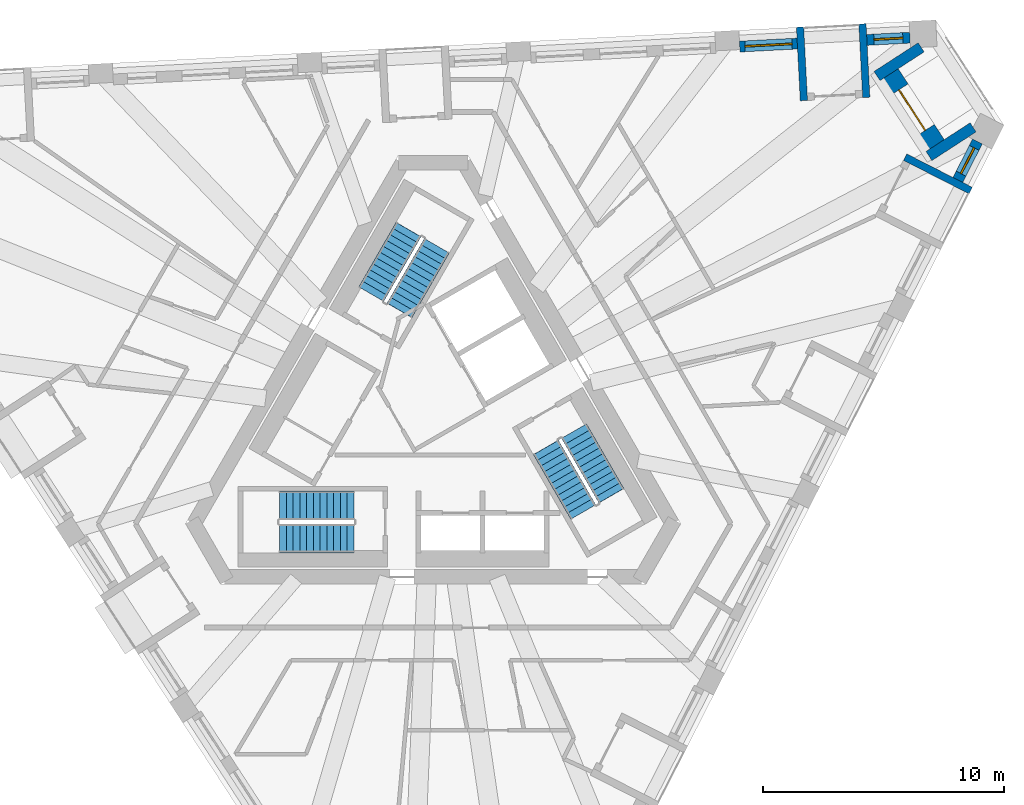
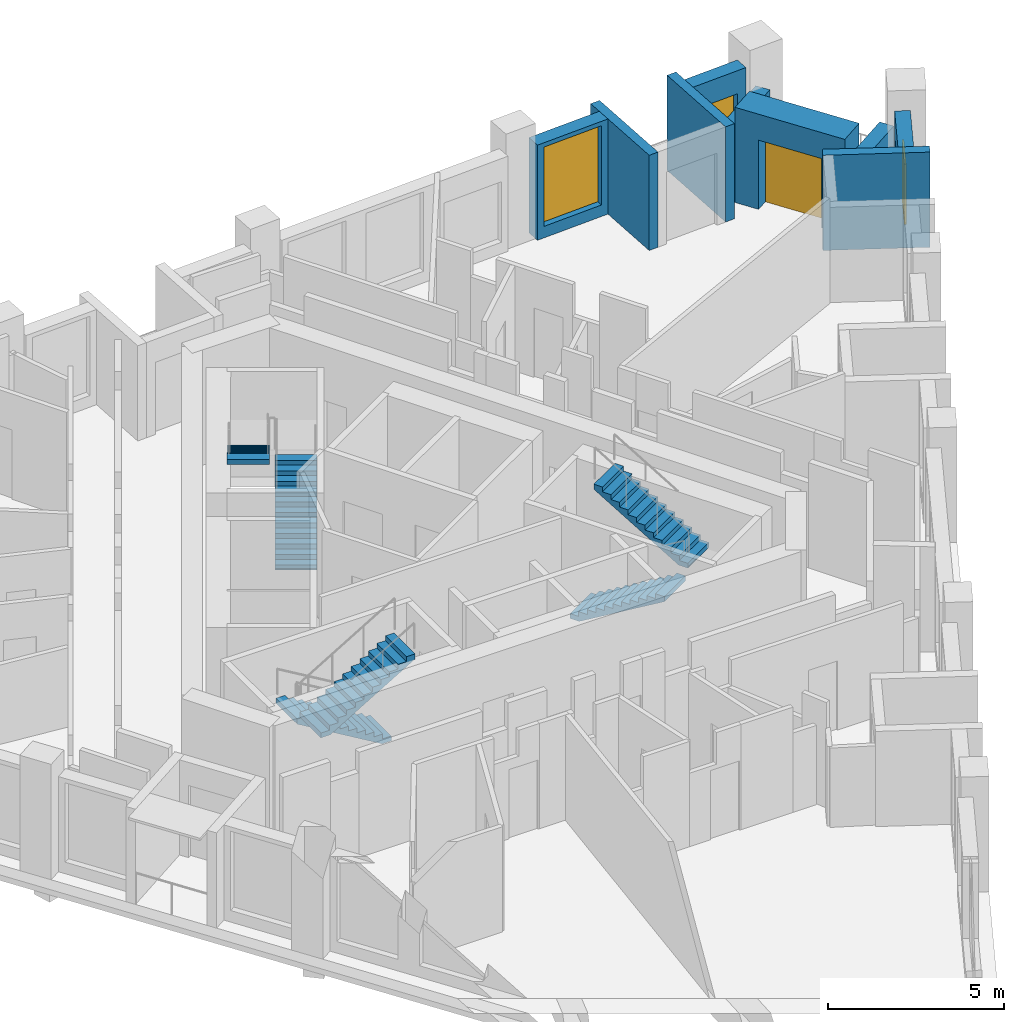
# One storey, part 9 of 13: 9 walls, 6 stair flights, 3 windows, 1 door, 4 openings, 3 elements without a shape of their own.
"""IFC4 building model written with IfcOpenShell, lengths in metres."""

from ifc_helpers import new_model, si_unit, direction, frame, frame_2d, origin, place, context, subcontext, project, spatial, polyline, rectangle, outline, extrude, material, layer, layer_set, type_object, element, fill, aggregate, save


model = new_model("IFC4")

# Units and contexts
model_context = context("Model", 3, precision=1e-05, world=origin(), true_north=direction((0.0, 1.0)))
body_context = subcontext(model_context, "Body", "Model", "MODEL_VIEW")
ifc_project = project(units=[si_unit("LENGTHUNIT", "METRE"), si_unit("AREAUNIT", "SQUARE_METRE"), si_unit("VOLUMEUNIT", "CUBIC_METRE"), si_unit("PLANEANGLEUNIT", "RADIAN"), si_unit("MASSUNIT", "GRAM", prefix="KILO")], contexts=[model_context])

# Site, building, storey
site_placement = place(None, origin())
site = spatial("IfcSite", under=ifc_project, at=site_placement, CompositionType="ELEMENT")
building_placement = place(site_placement, origin())
building = spatial("IfcBuilding", under=site, at=building_placement, Name="Tramontana Tower", CompositionType="ELEMENT")
storey_placement = place(building_placement, frame((0.0, 0.0, 286.39990234375)))
storey = spatial("IfcBuildingStorey", under=building, at=storey_placement, Name="L67", CompositionType="ELEMENT", Elevation=286.39990234375)

# Wall, opening, window
ifc_material_1 = material(Name="Precast concrete 60 MPa", Category="concrete")
ifc_layer_1 = layer(ifc_material_1, 0.449951171875)
ifc_layer_set_1 = layer_set([ifc_layer_1], Name="Precast concrete 60 MPa, 450 mm")
wall_type_1 = type_object("IfcWallType", Name="EW1 Stone-faced precast wall 450", PredefinedType="SOLIDWALL", material=ifc_layer_set_1)
wall_1_placement = place(storey_placement, frame((21.727783203125, 9.98828125, 0.0), z_axis=(0.0, 0.0, 1.0), x_axis=(0.454032211525, 0.890985269742, 0.0)))
wall_1 = element("IfcWall", 1, at=wall_1_placement, inside=storey, type_object=wall_type_1, Name="External wall L67 face 1 bay 5", PredefinedType="SOLIDWALL", context=body_context, shape_type="SweptSolid", body=[
    extrude(rectangle(XDim=1.786865234375, YDim=0.449951171875, at=frame_2d((0.8935546875, 0.0))), origin(), (0.0, 0.0, 1.0), 3.300048828125),
])
opening_1_placement = place(wall_1_placement, frame((0.29345703125, 0.0, 0.39990234375)))
opening_1 = element("IfcOpeningElement", 2, at=opening_1_placement, cuts=wall_1, Name="Opening N3L", PredefinedType="OPENING", context=body_context, shape_type="SweptSolid", body=[
    extrude(rectangle(XDim=1.199951171875, YDim=2.10009765625, at=frame_2d((0.60009765625, 1.050048828125))), frame((0.0, 0.23486328125, 0.0), z_axis=(0.0, -1.0, 0.0), x_axis=(1.0, 0.0, 0.0)), (0.0, 0.0, 1.0), 0.469970703125),
])
ifc_material_2 = material(Name="Aluminum frame, double glazing unit", Category="aluminium")
window_type_1 = type_object("IfcWindowType", Name="N3L Window 1.2 x 2.1", PartitioningType="SINGLE_PANEL", PredefinedType="WINDOW", material=ifc_material_2)
window_1_placement = place(opening_1_placement, origin())
window_1 = element("IfcWindow", 3, at=window_1_placement, inside=storey, type_object=window_type_1, Name="Window N3L L67 face 1 module 15", OverallHeight=2.10009765625, OverallWidth=1.199951171875, PartitioningType="SINGLE_PANEL", PredefinedType="WINDOW", context=body_context, shape_type="SweptSolid", body=[
    extrude(rectangle(XDim=1.199951171875, YDim=2.10009765625, at=frame_2d((0.60009765625, 1.050048828125))), frame((0.0, 0.030029296875, 0.0), z_axis=(0.0, -1.0, 0.0), x_axis=(1.0, 0.0, 0.0)), (0.0, 0.0, 1.0), 0.06005859375),
])
fill(opening_1, window_1)

wall_2_placement = place(storey_placement, frame((19.74658203125, 15.880126953125, 0.0), z_axis=(0.0, 0.0, 1.0), x_axis=(-0.998629506551, -0.052336494391, 0.0)))
wall_2 = element("IfcWall", 4, at=wall_2_placement, inside=storey, type_object=wall_type_1, Name="External wall L67 face 2 bay 1", PredefinedType="SOLIDWALL", context=body_context, shape_type="SweptSolid", body=[
    extrude(rectangle(XDim=1.78662109375, YDim=0.449951171875, at=frame_2d((0.893310546875, 0.0))), origin(), (0.0, 0.0, 1.0), 3.300048828125),
])
opening_2_placement = place(wall_2_placement, frame((0.29345703125, 0.0, 0.39990234375)))
opening_2 = element("IfcOpeningElement", 5, at=opening_2_placement, cuts=wall_2, Name="Opening N3L", PredefinedType="OPENING", context=body_context, shape_type="SweptSolid", body=[
    extrude(rectangle(XDim=1.199951171875, YDim=2.10009765625, at=frame_2d((0.60009765625, 1.050048828125))), frame((0.0, 0.23486328125, 0.0), z_axis=(0.0, -1.0, 0.0), x_axis=(1.0, 0.0, 0.0)), (0.0, 0.0, 1.0), 0.469970703125),
])
window_2_placement = place(opening_2_placement, origin())
window_2 = element("IfcWindow", 6, at=window_2_placement, inside=storey, type_object=window_type_1, Name="Window N3L L67 face 2 module 1", OverallHeight=2.10009765625, OverallWidth=1.199951171875, PartitioningType="SINGLE_PANEL", PredefinedType="WINDOW", context=body_context, shape_type="SweptSolid", body=[
    extrude(rectangle(XDim=1.199951171875, YDim=2.10009765625, at=frame_2d((0.60009765625, 1.050048828125))), frame((0.0, 0.030029296875, 0.0), z_axis=(0.0, -1.0, 0.0), x_axis=(1.0, 0.0, 0.0)), (0.0, 0.0, 1.0), 0.06005859375),
])
fill(opening_2, window_2)

wall_3_placement = place(storey_placement, frame((15.07958984375, 15.6357421875, 0.0), z_axis=(0.0, 0.0, 1.0), x_axis=(-0.998627701279, -0.052370929331, 0.0)))
wall_3 = element("IfcWall", 7, at=wall_3_placement, inside=storey, type_object=wall_type_1, Name="External wall L67 face 2 bay 1", PredefinedType="SOLIDWALL", context=body_context, shape_type="SweptSolid", body=[
    extrude(rectangle(XDim=2.38671875, YDim=0.449951171875, at=frame_2d((1.193359375, 0.0))), origin(), (0.0, 0.0, 1.0), 3.300048828125),
])
opening_3_placement = place(wall_3_placement, frame((0.21826171875, 0.0, 0.39990234375)))
opening_3 = element("IfcOpeningElement", 8, at=opening_3_placement, cuts=wall_3, Name="Opening M3", PredefinedType="OPENING", context=body_context, shape_type="SweptSolid", body=[
    extrude(rectangle(XDim=1.949951171875, YDim=2.75, at=frame_2d((0.97509765625, 1.375))), frame((0.0, 0.23486328125, 0.0), z_axis=(0.0, -1.0, 0.0), x_axis=(1.0, 0.0, 0.0)), (0.0, 0.0, 1.0), 0.469970703125),
])
ifc_material_3 = material(Name="Aluminum frame, double glazing unit", Category="aluminium")
window_type_2 = type_object("IfcWindowType", Name="M3 Window 1.95 x 2.75", PartitioningType="SINGLE_PANEL", PredefinedType="WINDOW", material=ifc_material_3)
window_3_placement = place(opening_3_placement, origin())
window_3 = element("IfcWindow", 9, at=window_3_placement, inside=storey, type_object=window_type_2, Name="Window M3 L67 face 2 module 3", OverallHeight=2.75, OverallWidth=1.949951171875, PartitioningType="SINGLE_PANEL", PredefinedType="WINDOW", context=body_context, shape_type="SweptSolid", body=[
    extrude(rectangle(XDim=1.949951171875, YDim=2.75, at=frame_2d((0.97509765625, 1.375))), frame((0.0, 0.030029296875, 0.0), z_axis=(0.0, -1.0, 0.0), x_axis=(1.0, 0.0, 0.0)), (0.0, 0.0, 1.0), 0.06005859375),
])
fill(opening_3, window_3)

# Walls
for number, where, z_axis, x_axis, name in (
    (10, (20.209228515625, 15.478759765625, 0.0), (0.0, 0.0, 1.0), (-0.838694375731, -0.544602372486, 0.0), "Corner loggia side wall L67 K72l"),
    (11, (22.3603515625, 12.166015625, 0.0), (0.0, 0.0, 1.0), (-0.838694375731, -0.544602372486, 0.0), "Corner loggia side wall L67 K72r"),
):
    element("IfcWall", number, at=place(storey_placement, frame(where, z_axis=z_axis, x_axis=x_axis)), inside=storey, type_object=wall_type_1, Name=name, PredefinedType="SOLIDWALL", context=body_context, shape_type="SweptSolid", body=[
        extrude(rectangle(XDim=2.17919921875, YDim=0.449951171875, at=frame_2d((1.089599609375, 0.0))), origin(), (0.0, 0.0, 1.0), 2.550048828125),
    ])

# Wall, opening, door
ifc_material_4 = material(Name="Precast concrete 60 MPa", Category="concrete")
ifc_layer_2 = layer(ifc_material_4, 0.89990234375)
ifc_layer_set_2 = layer_set([ifc_layer_2], Name="EW2 Stone-faced corner loggia wall 900")
wall_type_2 = type_object("IfcWallType", Name="EW2 Stone-faced corner loggia wall 900", PredefinedType="SOLIDWALL", material=ifc_layer_set_2)
wall_4_placement = place(storey_placement, frame((18.88134765625, 14.348388671875, 0.0), z_axis=(0.0, 0.0, 1.0), x_axis=(0.544647498784, -0.838665071449, 0.0)))
wall_4 = element("IfcWall", 12, at=wall_4_placement, inside=storey, type_object=wall_type_2, Name="Corner loggia wall L67 K72", PredefinedType="SOLIDWALL", context=body_context, shape_type="SweptSolid", body=[
    extrude(rectangle(XDim=3.5, YDim=0.89990234375, at=frame_2d((1.75, 0.0))), origin(), (0.0, 0.0, 1.0), 3.300048828125),
])
opening_4_placement = place(wall_4_placement, frame((0.75, 0.0, 0.0)))
opening_4 = element("IfcOpeningElement", 13, at=opening_4_placement, cuts=wall_4, Name="Opening BD-72C", PredefinedType="OPENING", context=body_context, shape_type="SweptSolid", body=[
    extrude(rectangle(XDim=2.0, YDim=2.39990234375, at=frame_2d((1.0, 1.199951171875))), frame((0.0, 0.4599609375, 0.0), z_axis=(0.0, -1.0, 0.0), x_axis=(1.0, 0.0, 0.0)), (0.0, 0.0, 1.0), 0.919921875),
])
ifc_material_5 = material(Name="Aluminum frame, double glazing unit", Category="aluminium")
door_type = type_object("IfcDoorType", Name="BC1 Sliding door 2 x 2.4", OperationType="SLIDING_TO_LEFT", PredefinedType="DOOR", material=ifc_material_5)
door_placement = place(opening_4_placement, origin())
door = element("IfcDoor", 14, at=door_placement, inside=storey, type_object=door_type, Name="Corner loggia door L67 K72", OperationType="SLIDING_TO_LEFT", OverallHeight=2.39990234375, OverallWidth=2.0, PredefinedType="DOOR", context=body_context, shape_type="SweptSolid", body=[
    extrude(rectangle(XDim=2.0, YDim=2.39990234375, at=frame_2d((1.0, 1.199951171875))), frame((0.0, 0.02490234375, 0.0), z_axis=(0.0, -1.0, 0.0), x_axis=(1.0, 0.0, 0.0)), (0.0, 0.0, 1.0), 0.050048828125),
])
fill(opening_4, door)

# Walls
ifc_material_6 = material(Name="Precast concrete 60 MPa", Category="concrete")
ifc_layer_3 = layer(ifc_material_6, 0.300048828125)
ifc_layer_set_3 = layer_set([ifc_layer_3], Name="LW1 Stone-faced loggia wall 300")
wall_type_3 = type_object("IfcWallType", Name="LW1 Stone-faced loggia wall 300", PredefinedType="SOLIDWALL", material=ifc_layer_set_3)
wall_5_placement = place(storey_placement, frame((22.26123046875, 9.54833984375, 0.0), z_axis=(0.0, 0.0, 1.0), x_axis=(-0.891040107702, 0.453924582355, 0.0)))
element("IfcWall", 15, at=wall_5_placement, inside=storey, type_object=wall_type_3, Name="Loggia return L67 G7S1.13b", PredefinedType="SOLIDWALL", context=body_context, shape_type="SweptSolid", body=[
    extrude(rectangle(XDim=3.050048828125, YDim=0.300048828125, at=frame_2d((1.52490234375, 0.0))), origin(), (0.0, 0.0, 1.0), 3.300048828125),
])
wall_6_placement = place(storey_placement, frame((17.777099609375, 16.452880859375, 0.0), z_axis=(0.0, 0.0, 1.0), x_axis=(0.052352956549, -0.998628643661, 0.0)))
element("IfcWall", 16, at=wall_6_placement, inside=storey, type_object=wall_type_3, Name="Loggia return L67 G7S2.1a", PredefinedType="SOLIDWALL", context=body_context, shape_type="SweptSolid", body=[
    extrude(rectangle(XDim=3.0498046875, YDim=0.300048828125, at=frame_2d((1.52490234375, 0.0))), origin(), (0.0, 0.0, 1.0), 3.300048828125),
])
wall_7_placement = place(storey_placement, frame((15.19384765625, 16.317626953125, 0.0), z_axis=(0.0, 0.0, 1.0), x_axis=(0.052348771756, -0.99862886304, 0.0)))
element("IfcWall", 17, at=wall_7_placement, inside=storey, type_object=wall_type_3, Name="Loggia return L67 G7S2.1b", PredefinedType="SOLIDWALL", context=body_context, shape_type="SweptSolid", body=[
    extrude(rectangle(XDim=3.050048828125, YDim=0.300048828125, at=frame_2d((1.52490234375, 0.0))), origin(), (0.0, 0.0, 1.0), 3.300048828125),
])

# Stair, stair flights
ifc_material_7 = material(Name="Concrete 40 MPa", Category="concrete")
stair_type = type_object("IfcStairType", Name="EXIT STAIR 24 RISERS", PredefinedType="HALF_TURN_STAIR", material=ifc_material_7)
stair_1_placement = place(storey_placement, origin())
stair_1 = element("IfcStair", 18, at=stair_1_placement, inside=storey, type_object=stair_type, Name="L67 Exit stair ST1", PredefinedType="HALF_TURN_STAIR")
ifc_material_8 = material(Name="Concrete 40 MPa", Category="concrete")
ifc_layer_4 = layer(ifc_material_8, 0.14990234375)
ifc_layer_set_4 = layer_set([ifc_layer_4], Name="EXIT STAIR FLIGHT")
stair_flight_type = type_object("IfcStairFlightType", Name="EXIT STAIR FLIGHT", PredefinedType="STRAIGHT", material=ifc_layer_set_4)
stair_flight_1_placement = place(storey_placement, frame((-1.39111328125, 4.590576171875, 0.0), z_axis=(0.0, 0.0, 1.0), x_axis=(0.5, 0.866025403784, 0.0)))
stair_flight_1 = element("IfcStairFlight", 19, at=stair_flight_1_placement, type_object=stair_flight_type, Name="ST1 flight 1", NumberOfRisers=12, NumberOfTreads=11, PredefinedType="STRAIGHT", RiserHeight=0.166666667, TreadLength=0.28, context=body_context, shape_type="SweptSolid", body=[
    extrude(outline(polyline([(-0.006103515625, 0.0), (-0.006103515625, 0.0400390625), (0.0, 0.0400390625), (0.0, 0.166748046875), (0.280029296875, 0.166748046875), (0.280029296875, 0.333251953125), (0.56005859375, 0.333251953125), (0.56005859375, 0.5), (0.840087890625, 0.5), (0.840087890625, 0.666748046875), (1.1201171875, 0.666748046875), (1.1201171875, 0.833251953125), (1.39990234375, 0.833251953125), (1.39990234375, 1.0), (1.679931640625, 1.0), (1.679931640625, 1.166748046875), (1.9599609375, 1.166748046875), (1.9599609375, 1.333251953125), (2.239990234375, 1.333251953125), (2.239990234375, 1.5), (2.52001953125, 1.5), (2.52001953125, 1.666748046875), (2.800048828125, 1.666748046875), (2.800048828125, 1.833251953125), (3.080078125, 1.833251953125), (3.0859375, 1.833251953125), (3.0859375, 1.658935546875), (0.299072265625, 0.0), (-0.006103515625, 0.0)])), frame((0.0, 0.60009765625, 0.0), z_axis=(0.0, -1.0, 0.0), x_axis=(1.0, 0.0, 0.0)), (0.0, 0.0, 1.0), 1.199951171875),
])
stair_flight_2_placement = place(storey_placement, frame((-1.020263671875, 7.932861328125, 2.0), z_axis=(0.0, 0.0, 1.0), x_axis=(-0.5, -0.866025403784, 0.0)))
stair_flight_2 = element("IfcStairFlight", 20, at=stair_flight_2_placement, type_object=stair_flight_type, Name="ST1 flight 2", NumberOfRisers=12, NumberOfTreads=11, PredefinedType="STRAIGHT", RiserHeight=0.166666667, TreadLength=0.28, context=body_context, shape_type="SweptSolid", body=[
    extrude(outline(polyline([(-0.006103515625, 0.0), (-0.006103515625, 0.0400390625), (0.0, 0.0400390625), (0.0, 0.166748046875), (0.280029296875, 0.166748046875), (0.280029296875, 0.333251953125), (0.56005859375, 0.333251953125), (0.56005859375, 0.5), (0.840087890625, 0.5), (0.840087890625, 0.666748046875), (1.1201171875, 0.666748046875), (1.1201171875, 0.833251953125), (1.39990234375, 0.833251953125), (1.39990234375, 1.0), (1.679931640625, 1.0), (1.679931640625, 1.166748046875), (1.9599609375, 1.166748046875), (1.9599609375, 1.333251953125), (2.239990234375, 1.333251953125), (2.239990234375, 1.5), (2.52001953125, 1.5), (2.52001953125, 1.666748046875), (2.800048828125, 1.666748046875), (2.800048828125, 1.833251953125), (3.080078125, 1.833251953125), (3.0859375, 1.833251953125), (3.0859375, 1.658935546875), (0.299072265625, 0.0), (-0.006103515625, 0.0)])), frame((0.0, 0.60009765625, 0.0), z_axis=(0.0, -1.0, 0.0), x_axis=(1.0, 0.0, 0.0)), (0.0, 0.0, 1.0), 1.199951171875),
])
aggregate(stair_1, [stair_flight_1, stair_flight_2])

stair_2_placement = place(storey_placement, origin())
stair_2 = element("IfcStair", 21, at=stair_2_placement, inside=storey, type_object=stair_type, Name="L67 Exit stair ST2", PredefinedType="HALF_TURN_STAIR")
stair_flight_3_placement = place(storey_placement, frame((-3.280029296875, -3.5, 0.0), z_axis=(0.0, 0.0, 1.0), x_axis=(-1.0, 0.0, 0.0)))
stair_flight_3 = element("IfcStairFlight", 22, at=stair_flight_3_placement, type_object=stair_flight_type, Name="ST2 flight 1", NumberOfRisers=12, NumberOfTreads=11, PredefinedType="STRAIGHT", RiserHeight=0.166666667, TreadLength=0.28, context=body_context, shape_type="SweptSolid", body=[
    extrude(outline(polyline([(-0.006103515625, 0.0), (-0.006103515625, 0.0400390625), (0.0, 0.0400390625), (0.0, 0.166748046875), (0.280029296875, 0.166748046875), (0.280029296875, 0.333251953125), (0.56005859375, 0.333251953125), (0.56005859375, 0.5), (0.840087890625, 0.5), (0.840087890625, 0.666748046875), (1.1201171875, 0.666748046875), (1.1201171875, 0.833251953125), (1.39990234375, 0.833251953125), (1.39990234375, 1.0), (1.679931640625, 1.0), (1.679931640625, 1.166748046875), (1.9599609375, 1.166748046875), (1.9599609375, 1.333251953125), (2.239990234375, 1.333251953125), (2.239990234375, 1.5), (2.52001953125, 1.5), (2.52001953125, 1.666748046875), (2.800048828125, 1.666748046875), (2.800048828125, 1.833251953125), (3.080078125, 1.833251953125), (3.0859375, 1.833251953125), (3.0859375, 1.658935546875), (0.299072265625, 0.0), (-0.006103515625, 0.0)])), frame((0.0, 0.60009765625, 0.0), z_axis=(0.0, -1.0, 0.0), x_axis=(1.0, 0.0, 0.0)), (0.0, 0.0, 1.0), 1.199951171875),
])
stair_flight_4_placement = place(storey_placement, frame((-6.360107421875, -4.85009765625, 2.0), z_axis=(0.0, 0.0, 1.0), x_axis=(1.0, 0.0, 0.0)))
stair_flight_4 = element("IfcStairFlight", 23, at=stair_flight_4_placement, type_object=stair_flight_type, Name="ST2 flight 2", NumberOfRisers=12, NumberOfTreads=11, PredefinedType="STRAIGHT", RiserHeight=0.166666667, TreadLength=0.28, context=body_context, shape_type="SweptSolid", body=[
    extrude(outline(polyline([(-0.006103515625, 0.0), (-0.006103515625, 0.0400390625), (0.0, 0.0400390625), (0.0, 0.166748046875), (0.280029296875, 0.166748046875), (0.280029296875, 0.333251953125), (0.56005859375, 0.333251953125), (0.56005859375, 0.5), (0.840087890625, 0.5), (0.840087890625, 0.666748046875), (1.1201171875, 0.666748046875), (1.1201171875, 0.833251953125), (1.39990234375, 0.833251953125), (1.39990234375, 1.0), (1.679931640625, 1.0), (1.679931640625, 1.166748046875), (1.9599609375, 1.166748046875), (1.9599609375, 1.333251953125), (2.239990234375, 1.333251953125), (2.239990234375, 1.5), (2.52001953125, 1.5), (2.52001953125, 1.666748046875), (2.800048828125, 1.666748046875), (2.800048828125, 1.833251953125), (3.080078125, 1.833251953125), (3.0859375, 1.833251953125), (3.0859375, 1.658935546875), (0.299072265625, 0.0), (-0.006103515625, 0.0)])), frame((0.0, 0.60009765625, 0.0), z_axis=(0.0, -1.0, 0.0), x_axis=(1.0, 0.0, 0.0)), (0.0, 0.0, 1.0), 1.199951171875),
])
aggregate(stair_2, [stair_flight_3, stair_flight_4])

stair_3_placement = place(storey_placement, origin())
stair_3 = element("IfcStair", 24, at=stair_3_placement, inside=storey, type_object=stair_type, Name="L67 Exit stair ST3", PredefinedType="HALF_TURN_STAIR")
stair_flight_5_placement = place(storey_placement, frame((4.671142578125, -1.090576171875, 0.0), z_axis=(0.0, 0.0, 1.0), x_axis=(0.5, -0.866025403784, 0.0)))
stair_flight_5 = element("IfcStairFlight", 25, at=stair_flight_5_placement, type_object=stair_flight_type, Name="ST3 flight 1", NumberOfRisers=12, NumberOfTreads=11, PredefinedType="STRAIGHT", RiserHeight=0.166666667, TreadLength=0.28, context=body_context, shape_type="SweptSolid", body=[
    extrude(outline(polyline([(-0.006103515625, 0.0), (-0.006103515625, 0.0400390625), (0.0, 0.0400390625), (0.0, 0.166748046875), (0.280029296875, 0.166748046875), (0.280029296875, 0.333251953125), (0.56005859375, 0.333251953125), (0.56005859375, 0.5), (0.840087890625, 0.5), (0.840087890625, 0.666748046875), (1.1201171875, 0.666748046875), (1.1201171875, 0.833251953125), (1.39990234375, 0.833251953125), (1.39990234375, 1.0), (1.679931640625, 1.0), (1.679931640625, 1.166748046875), (1.9599609375, 1.166748046875), (1.9599609375, 1.333251953125), (2.239990234375, 1.333251953125), (2.239990234375, 1.5), (2.52001953125, 1.5), (2.52001953125, 1.666748046875), (2.800048828125, 1.666748046875), (2.800048828125, 1.833251953125), (3.080078125, 1.833251953125), (3.0859375, 1.833251953125), (3.0859375, 1.658935546875), (0.299072265625, 0.0), (-0.006103515625, 0.0)])), frame((0.0, 0.60009765625, 0.0), z_axis=(0.0, -1.0, 0.0), x_axis=(1.0, 0.0, 0.0)), (0.0, 0.0, 1.0), 1.199951171875),
])
stair_flight_6_placement = place(storey_placement, frame((7.380126953125, -3.0830078125, 2.0), z_axis=(0.0, 0.0, 1.0), x_axis=(-0.5, 0.866025403784, 0.0)))
stair_flight_6 = element("IfcStairFlight", 26, at=stair_flight_6_placement, type_object=stair_flight_type, Name="ST3 flight 2", NumberOfRisers=12, NumberOfTreads=11, PredefinedType="STRAIGHT", RiserHeight=0.166666667, TreadLength=0.28, context=body_context, shape_type="SweptSolid", body=[
    extrude(outline(polyline([(-0.006103515625, 0.0), (-0.006103515625, 0.0400390625), (0.0, 0.0400390625), (0.0, 0.166748046875), (0.280029296875, 0.166748046875), (0.280029296875, 0.333251953125), (0.56005859375, 0.333251953125), (0.56005859375, 0.5), (0.840087890625, 0.5), (0.840087890625, 0.666748046875), (1.1201171875, 0.666748046875), (1.1201171875, 0.833251953125), (1.39990234375, 0.833251953125), (1.39990234375, 1.0), (1.679931640625, 1.0), (1.679931640625, 1.166748046875), (1.9599609375, 1.166748046875), (1.9599609375, 1.333251953125), (2.239990234375, 1.333251953125), (2.239990234375, 1.5), (2.52001953125, 1.5), (2.52001953125, 1.666748046875), (2.800048828125, 1.666748046875), (2.800048828125, 1.833251953125), (3.080078125, 1.833251953125), (3.0859375, 1.833251953125), (3.0859375, 1.658935546875), (0.299072265625, 0.0), (-0.006103515625, 0.0)])), frame((0.0, 0.60009765625, 0.0), z_axis=(0.0, -1.0, 0.0), x_axis=(1.0, 0.0, 0.0)), (0.0, 0.0, 1.0), 1.199951171875),
])
aggregate(stair_3, [stair_flight_5, stair_flight_6])

save(model, "model.ifc")
